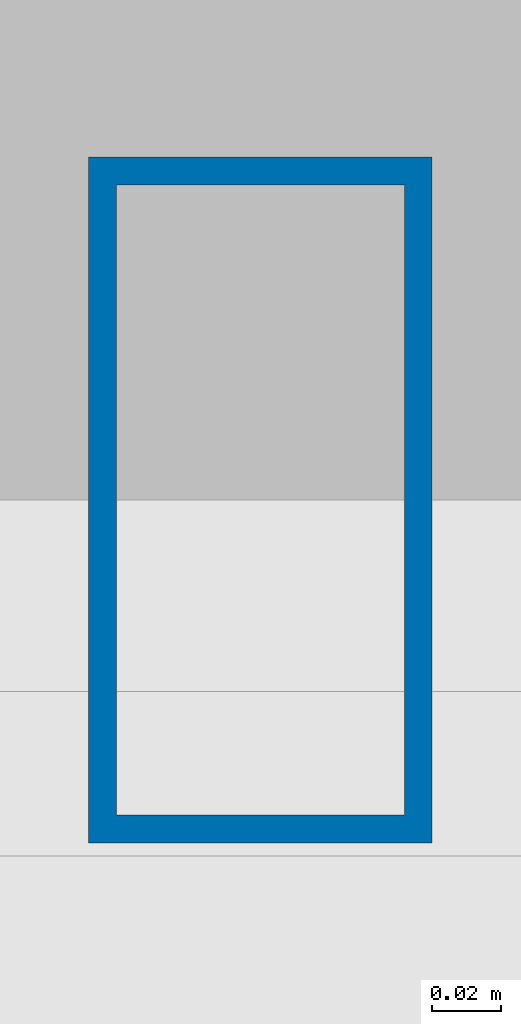
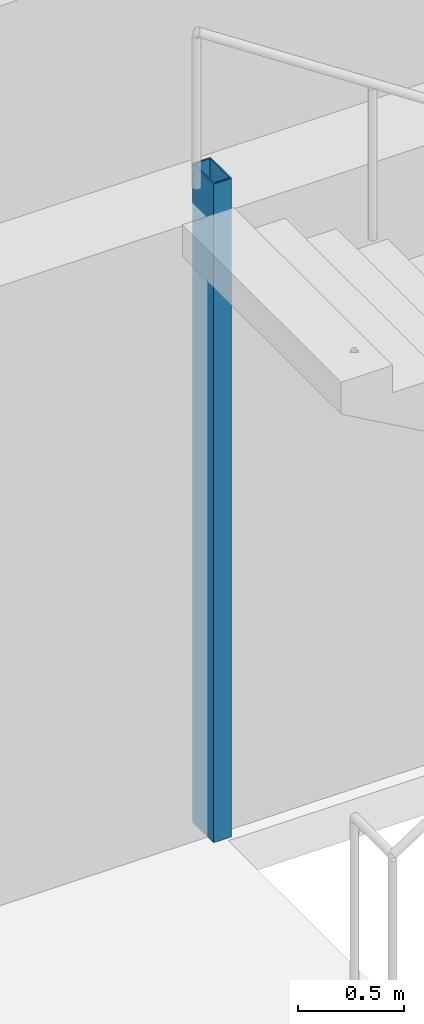
# One storey, part 2 of 17: 1 column.
"""IFC4 building model written with IfcOpenShell, lengths in metres."""

from ifc_helpers import new_model, si_unit, direction, frame, origin, origin_2d, place, context, subcontext, project, spatial, hollow_rectangle, extrude, material, material_profile, profile_set, type_object, element, save


model = new_model("IFC4")

# Units and contexts
model_context = context("Model", 3, precision=1e-05, world=origin(), true_north=direction((0.0, 1.0)))
body_context = subcontext(model_context, "Body", "Model", "MODEL_VIEW")
ifc_project = project(units=[si_unit("LENGTHUNIT", "METRE"), si_unit("AREAUNIT", "SQUARE_METRE"), si_unit("VOLUMEUNIT", "CUBIC_METRE"), si_unit("PLANEANGLEUNIT", "RADIAN"), si_unit("MASSUNIT", "GRAM", prefix="KILO")], contexts=[model_context])

# Site, building, storey
site_placement = place(None, origin())
site = spatial("IfcSite", under=ifc_project, at=site_placement, CompositionType="ELEMENT")
building_placement = place(site_placement, origin())
building = spatial("IfcBuilding", under=site, at=building_placement, Name="Menara Jurai Vektor", CompositionType="ELEMENT")
storey_placement = place(building_placement, frame((0.0, 0.0, 52.199951171875)))
storey = spatial("IfcBuildingStorey", under=building, at=storey_placement, Name="L12", CompositionType="ELEMENT", Elevation=52.199951171875)

# Column
ifc_material = material(Name="Steel S355", Category="steel")
ifc_material_profile = material_profile(ifc_material, hollow_rectangle(XDim=0.10009765625, YDim=0.199951171875, WallThickness=0.008056640625, at=origin_2d()), Name="RHS 200x100x8")
ifc_profile_set = profile_set([ifc_material_profile], Name="Steel S355")
column_type = type_object("IfcColumnType", Name="STR-COL-STAIR", PredefinedType="COLUMN", material=ifc_profile_set)
column_placement = place(storey_placement, frame((-11.1201171875, 5.419921875, 0.0), z_axis=(0.0, 0.0, 1.0), x_axis=(1.0, 0.0, 0.0)))
element("IfcColumn", 1, at=column_placement, inside=storey, type_object=column_type, Name="Stair Well Header Column ST1-P2 L12", PredefinedType="COLUMN", context=body_context, shape_type="SweptSolid", body=[
    extrude(hollow_rectangle(XDim=0.10009765625, YDim=0.199951171875, WallThickness=0.008056640625, at=origin_2d()), origin(), (0.0, 0.0, 1.0), 3.800048828125),
])

save(model, "model.ifc")
